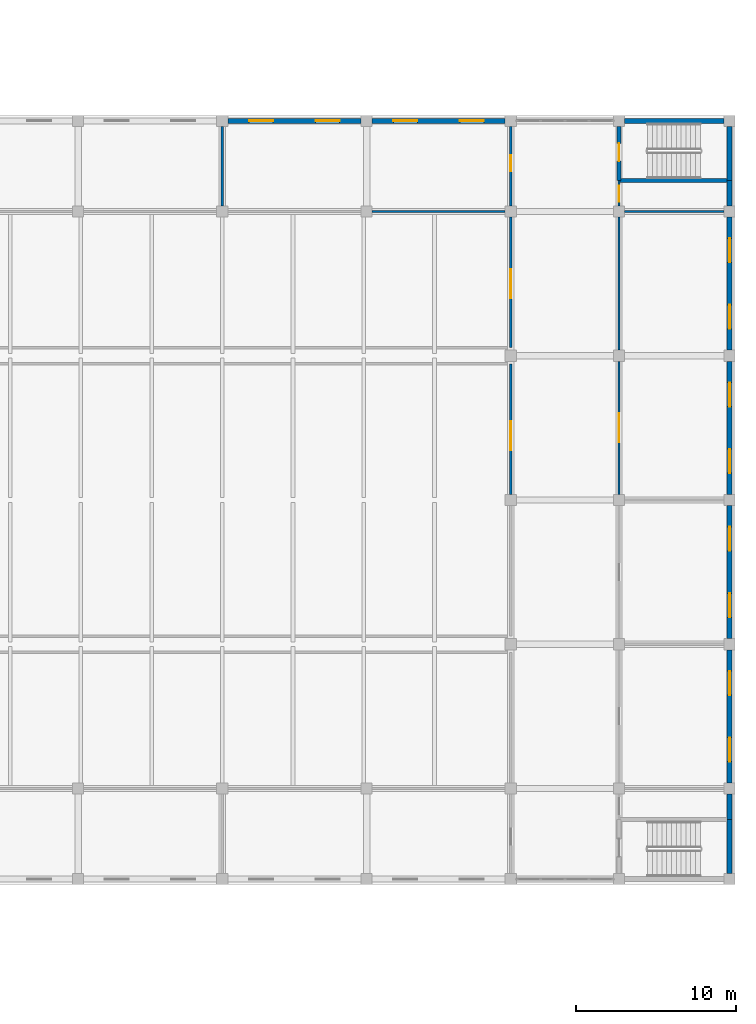
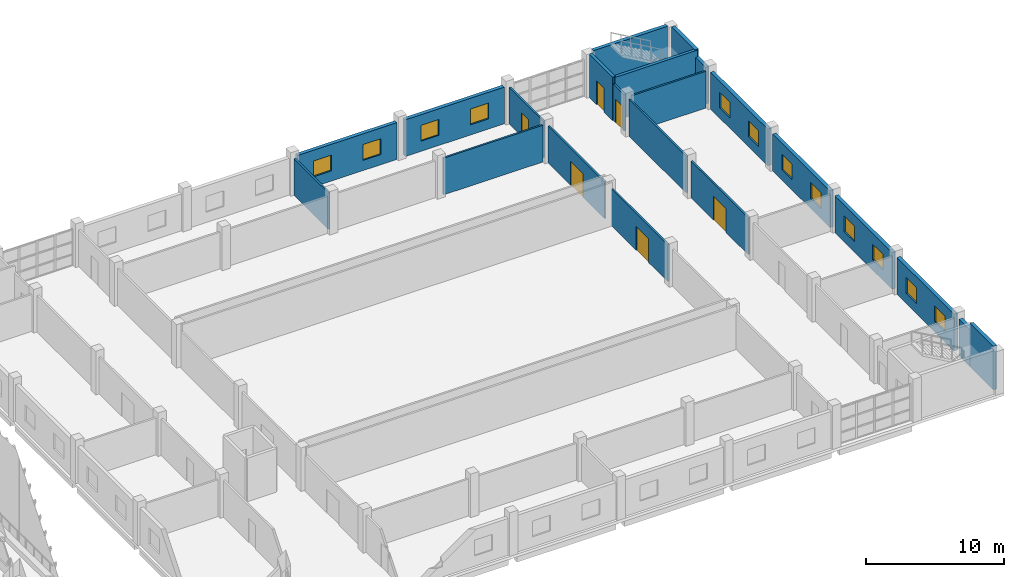
# One storey, part 19 of 31: 22 walls, 12 windows, 6 doors, 18 openings.
"""IFC4 building model written with IfcOpenShell, lengths in metres."""

from ifc_helpers import new_model, si_unit, direction, frame, frame_2d, origin, place, context, subcontext, project, spatial, rectangle, extrude, material, layer, layer_set, type_object, element, fill, save


model = new_model("IFC4")

# Units and contexts
model_context = context("Model", 3, precision=1e-05, world=origin(), true_north=direction((0.0, 1.0)))
body_context = subcontext(model_context, "Body", "Model", "MODEL_VIEW")
ifc_project = project(units=[si_unit("LENGTHUNIT", "METRE"), si_unit("AREAUNIT", "SQUARE_METRE"), si_unit("VOLUMEUNIT", "CUBIC_METRE"), si_unit("PLANEANGLEUNIT", "RADIAN"), si_unit("MASSUNIT", "GRAM", prefix="KILO")], contexts=[model_context])

# Site, building, storey
site_placement = place(None, origin())
site = spatial("IfcSite", under=ifc_project, at=site_placement, CompositionType="ELEMENT")
building_placement = place(site_placement, origin())
building = spatial("IfcBuilding", under=site, at=building_placement, Name="Corbel Stack Research Tower", CompositionType="ELEMENT")
storey_placement = place(building_placement, frame((0.0, 0.0, 15.39990234375)))
storey = spatial("IfcBuildingStorey", under=building, at=storey_placement, Name="L03", CompositionType="ELEMENT", Elevation=15.39990234375)

# Wall, openings, windows
ifc_material_1 = material(Name="Concrete C40/50", Category="concrete")
ifc_layer_1 = layer(ifc_material_1, 0.300048828125)
ifc_layer_set_1 = layer_set([ifc_layer_1], Name="Concrete C40/50")
wall_type_1 = type_object("IfcWallType", Name="HW1 exterior wall 300", PredefinedType="SOLIDWALL", material=ifc_layer_set_1)
wall_1_placement = place(storey_placement, frame((69.300048828125, 23.64990234375, 0.0), z_axis=(0.0, 0.0, 1.0), x_axis=(1.0, 0.0, 0.0)))
wall_1 = element("IfcWall", 1, at=wall_1_placement, inside=storey, type_object=wall_type_1, Name="Exterior wall L03 h23.65/69.3", PredefinedType="SOLIDWALL", context=body_context, shape_type="SweptSolid", body=[
    extrude(rectangle(XDim=8.300048828125, YDim=0.300048828125, at=frame_2d((4.14990234375, 0.0))), origin(), (0.0, 0.0, 1.0), 3.25),
])
opening_1_placement = place(wall_1_placement, frame((1.324951171875, 0.0, 0.89990234375)))
opening_1 = element("IfcOpeningElement", 2, at=opening_1_placement, cuts=wall_1, Name="Opening HX1", PredefinedType="OPENING", context=body_context, shape_type="SweptSolid", body=[
    extrude(rectangle(XDim=1.5, YDim=1.39990234375, at=frame_2d((0.75, 0.699951171875))), frame((0.0, 0.159912109375, 0.0), z_axis=(0.0, -1.0, 0.0), x_axis=(1.0, 0.0, 0.0)), (0.0, 0.0, 1.0), 0.320068359375),
])
opening_2_placement = place(wall_1_placement, frame((5.47509765625, 0.0, 0.89990234375)))
opening_2 = element("IfcOpeningElement", 3, at=opening_2_placement, cuts=wall_1, Name="Opening HX1", PredefinedType="OPENING", context=body_context, shape_type="SweptSolid", body=[
    extrude(rectangle(XDim=1.5, YDim=1.39990234375, at=frame_2d((0.75, 0.699951171875))), frame((0.0, 0.159912109375, 0.0), z_axis=(0.0, -1.0, 0.0), x_axis=(1.0, 0.0, 0.0)), (0.0, 0.0, 1.0), 0.320068359375),
])
ifc_material_2 = material(Name="Glass and aluminium", Category="aluminium")
window_type = type_object("IfcWindowType", Name="HW6 window 1500 x 1400", PartitioningType="SINGLE_PANEL", PredefinedType="WINDOW", material=ifc_material_2)
window_1_placement = place(opening_1_placement, origin())
window_1 = element("IfcWindow", 4, at=window_1_placement, inside=storey, type_object=window_type, Name="Window L03 Store room", OverallHeight=1.39990234375, OverallWidth=1.5, PartitioningType="SINGLE_PANEL", PredefinedType="WINDOW", context=body_context, shape_type="SweptSolid", body=[
    extrude(rectangle(XDim=1.5, YDim=1.39990234375, at=frame_2d((0.75, 0.699951171875))), frame((0.0, 0.030029296875, 0.0), z_axis=(0.0, -1.0, 0.0), x_axis=(1.0, 0.0, 0.0)), (0.0, 0.0, 1.0), 0.06005859375),
])
fill(opening_1, window_1)
window_2_placement = place(opening_2_placement, origin())
window_2 = element("IfcWindow", 5, at=window_2_placement, inside=storey, type_object=window_type, Name="Window L03 Store room", OverallHeight=1.39990234375, OverallWidth=1.5, PartitioningType="SINGLE_PANEL", PredefinedType="WINDOW", context=body_context, shape_type="SweptSolid", body=[
    extrude(rectangle(XDim=1.5, YDim=1.39990234375, at=frame_2d((0.75, 0.699951171875))), frame((0.0, 0.030029296875, 0.0), z_axis=(0.0, -1.0, 0.0), x_axis=(1.0, 0.0, 0.0)), (0.0, 0.0, 1.0), 0.06005859375),
])
fill(opening_2, window_2)

wall_2_placement = place(storey_placement, frame((78.300048828125, 23.64990234375, 0.0), z_axis=(0.0, 0.0, 1.0), x_axis=(1.0, 0.0, 0.0)))
wall_2 = element("IfcWall", 6, at=wall_2_placement, inside=storey, type_object=wall_type_1, Name="Exterior wall L03 h23.65/78.3", PredefinedType="SOLIDWALL", context=body_context, shape_type="SweptSolid", body=[
    extrude(rectangle(XDim=8.300048828125, YDim=0.300048828125, at=frame_2d((4.14990234375, 0.0))), origin(), (0.0, 0.0, 1.0), 3.25),
])
opening_3_placement = place(wall_2_placement, frame((1.324951171875, 0.0, 0.89990234375)))
opening_3 = element("IfcOpeningElement", 7, at=opening_3_placement, cuts=wall_2, Name="Opening HX1", PredefinedType="OPENING", context=body_context, shape_type="SweptSolid", body=[
    extrude(rectangle(XDim=1.5, YDim=1.39990234375, at=frame_2d((0.75, 0.699951171875))), frame((0.0, 0.159912109375, 0.0), z_axis=(0.0, -1.0, 0.0), x_axis=(1.0, 0.0, 0.0)), (0.0, 0.0, 1.0), 0.320068359375),
])
opening_4_placement = place(wall_2_placement, frame((5.47509765625, 0.0, 0.89990234375)))
opening_4 = element("IfcOpeningElement", 8, at=opening_4_placement, cuts=wall_2, Name="Opening HX1", PredefinedType="OPENING", context=body_context, shape_type="SweptSolid", body=[
    extrude(rectangle(XDim=1.5, YDim=1.39990234375, at=frame_2d((0.75, 0.699951171875))), frame((0.0, 0.159912109375, 0.0), z_axis=(0.0, -1.0, 0.0), x_axis=(1.0, 0.0, 0.0)), (0.0, 0.0, 1.0), 0.320068359375),
])
window_3_placement = place(opening_3_placement, origin())
window_3 = element("IfcWindow", 9, at=window_3_placement, inside=storey, type_object=window_type, Name="Window L03 Store room", OverallHeight=1.39990234375, OverallWidth=1.5, PartitioningType="SINGLE_PANEL", PredefinedType="WINDOW", context=body_context, shape_type="SweptSolid", body=[
    extrude(rectangle(XDim=1.5, YDim=1.39990234375, at=frame_2d((0.75, 0.699951171875))), frame((0.0, 0.030029296875, 0.0), z_axis=(0.0, -1.0, 0.0), x_axis=(1.0, 0.0, 0.0)), (0.0, 0.0, 1.0), 0.06005859375),
])
fill(opening_3, window_3)
window_4_placement = place(opening_4_placement, origin())
window_4 = element("IfcWindow", 10, at=window_4_placement, inside=storey, type_object=window_type, Name="Window L03 Store room", OverallHeight=1.39990234375, OverallWidth=1.5, PartitioningType="SINGLE_PANEL", PredefinedType="WINDOW", context=body_context, shape_type="SweptSolid", body=[
    extrude(rectangle(XDim=1.5, YDim=1.39990234375, at=frame_2d((0.75, 0.699951171875))), frame((0.0, 0.030029296875, 0.0), z_axis=(0.0, -1.0, 0.0), x_axis=(1.0, 0.0, 0.0)), (0.0, 0.0, 1.0), 0.06005859375),
])
fill(opening_4, window_4)

# Wall
wall_3_placement = place(storey_placement, frame((100.60009765625, -19.925048828125, 0.0), z_axis=(0.0, 0.0, 1.0), x_axis=(0.0, 1.0, 0.0)))
element("IfcWall", 11, at=wall_3_placement, inside=storey, type_object=wall_type_1, Name="Exterior wall L03 v100.60/-19.9", PredefinedType="SOLIDWALL", context=body_context, shape_type="SweptSolid", body=[
    extrude(rectangle(XDim=1.574951171875, YDim=0.300048828125, at=frame_2d((0.78759765625, 0.0))), origin(), (0.0, 0.0, 1.0), 3.25),
])

# Wall, openings, windows
wall_4_placement = place(storey_placement, frame((100.60009765625, -17.64990234375, 0.0), z_axis=(0.0, 0.0, 1.0), x_axis=(0.0, 1.0, 0.0)))
wall_4 = element("IfcWall", 12, at=wall_4_placement, inside=storey, type_object=wall_type_1, Name="Exterior wall L03 v100.60/-17.6", PredefinedType="SOLIDWALL", context=body_context, shape_type="SweptSolid", body=[
    extrude(rectangle(XDim=8.2998046875, YDim=0.300048828125, at=frame_2d((4.14990234375, 0.0))), origin(), (0.0, 0.0, 1.0), 3.25),
])
opening_5_placement = place(wall_4_placement, frame((1.324951171875, 0.0, 0.89990234375)))
opening_5 = element("IfcOpeningElement", 13, at=opening_5_placement, cuts=wall_4, Name="Opening HX1", PredefinedType="OPENING", context=body_context, shape_type="SweptSolid", body=[
    extrude(rectangle(XDim=1.5, YDim=1.39990234375, at=frame_2d((0.75, 0.699951171875))), frame((0.0, 0.159912109375, 0.0), z_axis=(0.0, -1.0, 0.0), x_axis=(1.0, 0.0, 0.0)), (0.0, 0.0, 1.0), 0.320068359375),
])
opening_6_placement = place(wall_4_placement, frame((5.47509765625, 0.0, 0.89990234375)))
opening_6 = element("IfcOpeningElement", 14, at=opening_6_placement, cuts=wall_4, Name="Opening HX1", PredefinedType="OPENING", context=body_context, shape_type="SweptSolid", body=[
    extrude(rectangle(XDim=1.5, YDim=1.39990234375, at=frame_2d((0.75, 0.699951171875))), frame((0.0, 0.159912109375, 0.0), z_axis=(0.0, -1.0, 0.0), x_axis=(1.0, 0.0, 0.0)), (0.0, 0.0, 1.0), 0.320068359375),
])
window_5_placement = place(opening_5_placement, origin())
window_5 = element("IfcWindow", 15, at=window_5_placement, inside=storey, type_object=window_type, Name="Window L03 Office 7", OverallHeight=1.39990234375, OverallWidth=1.5, PartitioningType="SINGLE_PANEL", PredefinedType="WINDOW", context=body_context, shape_type="SweptSolid", body=[
    extrude(rectangle(XDim=1.5, YDim=1.39990234375, at=frame_2d((0.75, 0.699951171875))), frame((0.0, 0.030029296875, 0.0), z_axis=(0.0, -1.0, 0.0), x_axis=(1.0, 0.0, 0.0)), (0.0, 0.0, 1.0), 0.06005859375),
])
fill(opening_5, window_5)
window_6_placement = place(opening_6_placement, origin())
window_6 = element("IfcWindow", 16, at=window_6_placement, inside=storey, type_object=window_type, Name="Window L03 Office 7", OverallHeight=1.39990234375, OverallWidth=1.5, PartitioningType="SINGLE_PANEL", PredefinedType="WINDOW", context=body_context, shape_type="SweptSolid", body=[
    extrude(rectangle(XDim=1.5, YDim=1.39990234375, at=frame_2d((0.75, 0.699951171875))), frame((0.0, 0.030029296875, 0.0), z_axis=(0.0, -1.0, 0.0), x_axis=(1.0, 0.0, 0.0)), (0.0, 0.0, 1.0), 0.06005859375),
])
fill(opening_6, window_6)

wall_5_placement = place(storey_placement, frame((100.60009765625, -8.64990234375, 0.0), z_axis=(0.0, 0.0, 1.0), x_axis=(0.0, 1.0, 0.0)))
wall_5 = element("IfcWall", 17, at=wall_5_placement, inside=storey, type_object=wall_type_1, Name="Exterior wall L03 v100.60/-8.7", PredefinedType="SOLIDWALL", context=body_context, shape_type="SweptSolid", body=[
    extrude(rectangle(XDim=8.2998046875, YDim=0.300048828125, at=frame_2d((4.14990234375, 0.0))), origin(), (0.0, 0.0, 1.0), 3.25),
])
opening_7_placement = place(wall_5_placement, frame((1.324951171875, 0.0, 0.89990234375)))
opening_7 = element("IfcOpeningElement", 18, at=opening_7_placement, cuts=wall_5, Name="Opening HX1", PredefinedType="OPENING", context=body_context, shape_type="SweptSolid", body=[
    extrude(rectangle(XDim=1.5, YDim=1.39990234375, at=frame_2d((0.75, 0.699951171875))), frame((0.0, 0.159912109375, 0.0), z_axis=(0.0, -1.0, 0.0), x_axis=(1.0, 0.0, 0.0)), (0.0, 0.0, 1.0), 0.320068359375),
])
opening_8_placement = place(wall_5_placement, frame((5.47509765625, 0.0, 0.89990234375)))
opening_8 = element("IfcOpeningElement", 19, at=opening_8_placement, cuts=wall_5, Name="Opening HX1", PredefinedType="OPENING", context=body_context, shape_type="SweptSolid", body=[
    extrude(rectangle(XDim=1.5, YDim=1.39990234375, at=frame_2d((0.75, 0.699951171875))), frame((0.0, 0.159912109375, 0.0), z_axis=(0.0, -1.0, 0.0), x_axis=(1.0, 0.0, 0.0)), (0.0, 0.0, 1.0), 0.320068359375),
])
window_7_placement = place(opening_7_placement, origin())
window_7 = element("IfcWindow", 20, at=window_7_placement, inside=storey, type_object=window_type, Name="Window L03 Office 8", OverallHeight=1.39990234375, OverallWidth=1.5, PartitioningType="SINGLE_PANEL", PredefinedType="WINDOW", context=body_context, shape_type="SweptSolid", body=[
    extrude(rectangle(XDim=1.5, YDim=1.39990234375, at=frame_2d((0.75, 0.699951171875))), frame((0.0, 0.030029296875, 0.0), z_axis=(0.0, -1.0, 0.0), x_axis=(1.0, 0.0, 0.0)), (0.0, 0.0, 1.0), 0.06005859375),
])
fill(opening_7, window_7)
window_8_placement = place(opening_8_placement, origin())
window_8 = element("IfcWindow", 21, at=window_8_placement, inside=storey, type_object=window_type, Name="Window L03 Office 8", OverallHeight=1.39990234375, OverallWidth=1.5, PartitioningType="SINGLE_PANEL", PredefinedType="WINDOW", context=body_context, shape_type="SweptSolid", body=[
    extrude(rectangle(XDim=1.5, YDim=1.39990234375, at=frame_2d((0.75, 0.699951171875))), frame((0.0, 0.030029296875, 0.0), z_axis=(0.0, -1.0, 0.0), x_axis=(1.0, 0.0, 0.0)), (0.0, 0.0, 1.0), 0.06005859375),
])
fill(opening_8, window_8)

wall_6_placement = place(storey_placement, frame((100.60009765625, 0.35009765625, 0.0), z_axis=(0.0, 0.0, 1.0), x_axis=(0.0, 1.0, 0.0)))
wall_6 = element("IfcWall", 22, at=wall_6_placement, inside=storey, type_object=wall_type_1, Name="Exterior wall L03 v100.60/0.3", PredefinedType="SOLIDWALL", context=body_context, shape_type="SweptSolid", body=[
    extrude(rectangle(XDim=8.2998046875, YDim=0.300048828125, at=frame_2d((4.14990234375, 0.0))), origin(), (0.0, 0.0, 1.0), 3.25),
])
opening_9_placement = place(wall_6_placement, frame((1.324951171875, 0.0, 0.89990234375)))
opening_9 = element("IfcOpeningElement", 23, at=opening_9_placement, cuts=wall_6, Name="Opening HX1", PredefinedType="OPENING", context=body_context, shape_type="SweptSolid", body=[
    extrude(rectangle(XDim=1.5, YDim=1.39990234375, at=frame_2d((0.75, 0.699951171875))), frame((0.0, 0.159912109375, 0.0), z_axis=(0.0, -1.0, 0.0), x_axis=(1.0, 0.0, 0.0)), (0.0, 0.0, 1.0), 0.320068359375),
])
opening_10_placement = place(wall_6_placement, frame((5.47509765625, 0.0, 0.89990234375)))
opening_10 = element("IfcOpeningElement", 24, at=opening_10_placement, cuts=wall_6, Name="Opening HX1", PredefinedType="OPENING", context=body_context, shape_type="SweptSolid", body=[
    extrude(rectangle(XDim=1.5, YDim=1.39990234375, at=frame_2d((0.75, 0.699951171875))), frame((0.0, 0.159912109375, 0.0), z_axis=(0.0, -1.0, 0.0), x_axis=(1.0, 0.0, 0.0)), (0.0, 0.0, 1.0), 0.320068359375),
])
window_9_placement = place(opening_9_placement, origin())
window_9 = element("IfcWindow", 25, at=window_9_placement, inside=storey, type_object=window_type, Name="Window L03 Studio 6", OverallHeight=1.39990234375, OverallWidth=1.5, PartitioningType="SINGLE_PANEL", PredefinedType="WINDOW", context=body_context, shape_type="SweptSolid", body=[
    extrude(rectangle(XDim=1.5, YDim=1.39990234375, at=frame_2d((0.75, 0.699951171875))), frame((0.0, 0.030029296875, 0.0), z_axis=(0.0, -1.0, 0.0), x_axis=(1.0, 0.0, 0.0)), (0.0, 0.0, 1.0), 0.06005859375),
])
fill(opening_9, window_9)
window_10_placement = place(opening_10_placement, origin())
window_10 = element("IfcWindow", 26, at=window_10_placement, inside=storey, type_object=window_type, Name="Window L03 Studio 6", OverallHeight=1.39990234375, OverallWidth=1.5, PartitioningType="SINGLE_PANEL", PredefinedType="WINDOW", context=body_context, shape_type="SweptSolid", body=[
    extrude(rectangle(XDim=1.5, YDim=1.39990234375, at=frame_2d((0.75, 0.699951171875))), frame((0.0, 0.030029296875, 0.0), z_axis=(0.0, -1.0, 0.0), x_axis=(1.0, 0.0, 0.0)), (0.0, 0.0, 1.0), 0.06005859375),
])
fill(opening_10, window_10)

wall_7_placement = place(storey_placement, frame((100.60009765625, 9.35009765625, 0.0), z_axis=(0.0, 0.0, 1.0), x_axis=(0.0, 1.0, 0.0)))
wall_7 = element("IfcWall", 27, at=wall_7_placement, inside=storey, type_object=wall_type_1, Name="Exterior wall L03 v100.60/9.3", PredefinedType="SOLIDWALL", context=body_context, shape_type="SweptSolid", body=[
    extrude(rectangle(XDim=8.2998046875, YDim=0.300048828125, at=frame_2d((4.14990234375, 0.0))), origin(), (0.0, 0.0, 1.0), 3.25),
])
opening_11_placement = place(wall_7_placement, frame((1.324951171875, 0.0, 0.89990234375)))
opening_11 = element("IfcOpeningElement", 28, at=opening_11_placement, cuts=wall_7, Name="Opening HX1", PredefinedType="OPENING", context=body_context, shape_type="SweptSolid", body=[
    extrude(rectangle(XDim=1.5, YDim=1.39990234375, at=frame_2d((0.75, 0.699951171875))), frame((0.0, 0.159912109375, 0.0), z_axis=(0.0, -1.0, 0.0), x_axis=(1.0, 0.0, 0.0)), (0.0, 0.0, 1.0), 0.320068359375),
])
opening_12_placement = place(wall_7_placement, frame((5.47509765625, 0.0, 0.89990234375)))
opening_12 = element("IfcOpeningElement", 29, at=opening_12_placement, cuts=wall_7, Name="Opening HX1", PredefinedType="OPENING", context=body_context, shape_type="SweptSolid", body=[
    extrude(rectangle(XDim=1.5, YDim=1.39990234375, at=frame_2d((0.75, 0.699951171875))), frame((0.0, 0.159912109375, 0.0), z_axis=(0.0, -1.0, 0.0), x_axis=(1.0, 0.0, 0.0)), (0.0, 0.0, 1.0), 0.320068359375),
])
window_11_placement = place(opening_11_placement, origin())
window_11 = element("IfcWindow", 30, at=window_11_placement, inside=storey, type_object=window_type, Name="Window L03 Studio 6", OverallHeight=1.39990234375, OverallWidth=1.5, PartitioningType="SINGLE_PANEL", PredefinedType="WINDOW", context=body_context, shape_type="SweptSolid", body=[
    extrude(rectangle(XDim=1.5, YDim=1.39990234375, at=frame_2d((0.75, 0.699951171875))), frame((0.0, 0.030029296875, 0.0), z_axis=(0.0, -1.0, 0.0), x_axis=(1.0, 0.0, 0.0)), (0.0, 0.0, 1.0), 0.06005859375),
])
fill(opening_11, window_11)
window_12_placement = place(opening_12_placement, origin())
window_12 = element("IfcWindow", 31, at=window_12_placement, inside=storey, type_object=window_type, Name="Window L03 Studio 6", OverallHeight=1.39990234375, OverallWidth=1.5, PartitioningType="SINGLE_PANEL", PredefinedType="WINDOW", context=body_context, shape_type="SweptSolid", body=[
    extrude(rectangle(XDim=1.5, YDim=1.39990234375, at=frame_2d((0.75, 0.699951171875))), frame((0.0, 0.030029296875, 0.0), z_axis=(0.0, -1.0, 0.0), x_axis=(1.0, 0.0, 0.0)), (0.0, 0.0, 1.0), 0.06005859375),
])
fill(opening_12, window_12)

# Walls
wall_8_placement = place(storey_placement, frame((100.60009765625, 18.35009765625, 0.0), z_axis=(0.0, 0.0, 1.0), x_axis=(0.0, 1.0, 0.0)))
element("IfcWall", 32, at=wall_8_placement, inside=storey, type_object=wall_type_1, Name="Exterior wall L03 v100.60/18.4", PredefinedType="SOLIDWALL", context=body_context, shape_type="SweptSolid", body=[
    extrude(rectangle(XDim=1.574951171875, YDim=0.300048828125, at=frame_2d((0.78759765625, 0.0))), origin(), (0.0, 0.0, 1.0), 3.25),
])
ifc_material_3 = material(Name="Concrete C40/50", Category="concrete")
ifc_layer_2 = layer(ifc_material_3, 0.25)
ifc_layer_set_2 = layer_set([ifc_layer_2], Name="Concrete C40/50")
wall_type_2 = type_object("IfcWallType", Name="HW2 core wall C40/50 250", PredefinedType="SHEAR", material=ifc_layer_set_2)
wall_9_placement = place(storey_placement, frame((93.699951171875, 19.925048828125, 0.0), z_axis=(0.0, 0.0, 1.0), x_axis=(1.0, 0.0, 0.0)))
element("IfcWall", 33, at=wall_9_placement, inside=storey, type_object=wall_type_2, Name="Wall L03 h19.93/93.7", PredefinedType="SHEAR", context=body_context, shape_type="SweptSolid", body=[
    extrude(rectangle(XDim=6.900146484375, YDim=0.25, at=frame_2d((3.4501953125, 0.0))), origin(), (0.0, 0.0, 1.0), 3.85009765625),
])

# Wall, opening, door
wall_10_placement = place(storey_placement, frame((93.699951171875, 19.925048828125, 0.0), z_axis=(0.0, 0.0, 1.0), x_axis=(0.0, 1.0, 0.0)))
wall_10 = element("IfcWall", 34, at=wall_10_placement, inside=storey, type_object=wall_type_2, Name="Wall L03 v93.70/19.9", PredefinedType="SHEAR", context=body_context, shape_type="SweptSolid", body=[
    extrude(rectangle(XDim=3.375, YDim=0.25, at=frame_2d((1.6875, 0.0))), origin(), (0.0, 0.0, 1.0), 3.85009765625),
])
opening_13_placement = place(wall_10_placement, frame((1.22509765625, 0.0, 0.0)))
opening_13 = element("IfcOpeningElement", 35, at=opening_13_placement, cuts=wall_10, Name="Opening H3-23", PredefinedType="OPENING", context=body_context, shape_type="SweptSolid", body=[
    extrude(rectangle(XDim=1.10009765625, YDim=2.10009765625, at=frame_2d((0.550048828125, 1.050048828125))), frame((0.0, 0.135009765625, 0.0), z_axis=(0.0, -1.0, 0.0), x_axis=(1.0, 0.0, 0.0)), (0.0, 0.0, 1.0), 0.27001953125),
])
ifc_material_4 = material(Name="Steel", Category="steel")
door_type_1 = type_object("IfcDoorType", Name="HD4 fire door 1100 x 2100", OperationType="NOTDEFINED", PredefinedType="DOOR", material=ifc_material_4)
door_1_placement = place(opening_13_placement, origin())
door_1 = element("IfcDoor", 36, at=door_1_placement, inside=storey, type_object=door_type_1, Name="Door H3-23", OperationType="SINGLE_SWING_LEFT", OverallHeight=2.10009765625, OverallWidth=1.10009765625, PredefinedType="DOOR", context=body_context, shape_type="SweptSolid", body=[
    extrude(rectangle(XDim=1.10009765625, YDim=2.10009765625, at=frame_2d((0.550048828125, 1.050048828125))), frame((0.0, 0.02490234375, 0.0), z_axis=(0.0, -1.0, 0.0), x_axis=(1.0, 0.0, 0.0)), (0.0, 0.0, 1.0), 0.050048828125),
])
fill(opening_13, door_1)

# Walls
ifc_material_5 = material(Name="Concrete masonry unit", Category="masonry")
ifc_layer_3 = layer(ifc_material_5, 0.14990234375)
ifc_layer_set_3 = layer_set([ifc_layer_3], Name="Concrete masonry unit")
wall_type_3 = type_object("IfcWallType", Name="HW3 partition 150", PredefinedType="PARTITIONING", material=ifc_layer_set_3)
wall_11_placement = place(storey_placement, frame((78.300048828125, 18.0, 0.0), z_axis=(0.0, 0.0, 1.0), x_axis=(1.0, 0.0, 0.0)))
element("IfcWall", 37, at=wall_11_placement, inside=storey, type_object=wall_type_3, Name="Wall L03 h18.00/78.3", PredefinedType="PARTITIONING", context=body_context, shape_type="SweptSolid", body=[
    extrude(rectangle(XDim=8.300048828125, YDim=0.14990234375, at=frame_2d((4.14990234375, 0.0))), origin(), (0.0, 0.0, 1.0), 3.25),
])
wall_12_placement = place(storey_placement, frame((94.050048828125, 18.0, 0.0), z_axis=(0.0, 0.0, 1.0), x_axis=(1.0, 0.0, 0.0)))
element("IfcWall", 38, at=wall_12_placement, inside=storey, type_object=wall_type_3, Name="Wall L03 h18.00/94.0", PredefinedType="PARTITIONING", context=body_context, shape_type="SweptSolid", body=[
    extrude(rectangle(XDim=6.199951171875, YDim=0.14990234375, at=frame_2d((3.10009765625, 0.0))), origin(), (0.0, 0.0, 1.0), 3.25),
])
wall_13_placement = place(storey_placement, frame((68.949951171875, 18.35009765625, 0.0), z_axis=(0.0, 0.0, 1.0), x_axis=(0.0, 1.0, 0.0)))
element("IfcWall", 39, at=wall_13_placement, inside=storey, type_object=wall_type_3, Name="Wall L03 v68.95/18.4", PredefinedType="PARTITIONING", context=body_context, shape_type="SweptSolid", body=[
    extrude(rectangle(XDim=4.949951171875, YDim=0.14990234375, at=frame_2d((2.47509765625, 0.0))), origin(), (0.0, 0.0, 1.0), 3.25),
])

# Wall, opening, door
wall_14_placement = place(storey_placement, frame((86.949951171875, 8.5, 0.0), z_axis=(0.0, 0.0, 1.0), x_axis=(0.0, -1.0, 0.0)))
wall_14 = element("IfcWall", 40, at=wall_14_placement, inside=storey, type_object=wall_type_3, Name="Wall L03 v86.95/0.3", PredefinedType="PARTITIONING", context=body_context, shape_type="SweptSolid", body=[
    extrude(rectangle(XDim=8.14990234375, YDim=0.14990234375, at=frame_2d((4.074951171875, 0.0))), origin(), (0.0, 0.0, 1.0), 3.25),
])
opening_14_placement = place(wall_14_placement, frame((3.60009765625, 0.0, 0.0)))
opening_14 = element("IfcOpeningElement", 41, at=opening_14_placement, cuts=wall_14, Name="Opening H3-14", PredefinedType="OPENING", context=body_context, shape_type="SweptSolid", body=[
    extrude(rectangle(XDim=1.800048828125, YDim=2.10009765625, at=frame_2d((0.89990234375, 1.050048828125))), frame((0.0, 0.0849609375, 0.0), z_axis=(0.0, -1.0, 0.0), x_axis=(1.0, 0.0, 0.0)), (0.0, 0.0, 1.0), 0.169921875),
])
ifc_material_6 = material(Name="Timber", Category="wood")
door_type_2 = type_object("IfcDoorType", Name="HD2 double door 1800 x 2100", OperationType="DOUBLE_DOOR_SINGLE_SWING", PredefinedType="DOOR", material=ifc_material_6)
door_2_placement = place(opening_14_placement, origin())
door_2 = element("IfcDoor", 42, at=door_2_placement, inside=storey, type_object=door_type_2, Name="Door H3-14", OperationType="DOUBLE_DOOR_SINGLE_SWING", OverallHeight=2.10009765625, OverallWidth=1.800048828125, PredefinedType="DOOR", context=body_context, shape_type="SweptSolid", body=[
    extrude(rectangle(XDim=1.800048828125, YDim=2.10009765625, at=frame_2d((0.89990234375, 1.050048828125))), frame((0.0, 0.02490234375, 0.0), z_axis=(0.0, -1.0, 0.0), x_axis=(1.0, 0.0, 0.0)), (0.0, 0.0, 1.0), 0.050048828125),
])
fill(opening_14, door_2)

wall_15_placement = place(storey_placement, frame((86.949951171875, 17.64990234375, 0.0), z_axis=(0.0, 0.0, 1.0), x_axis=(0.0, -1.0, 0.0)))
wall_15 = element("IfcWall", 43, at=wall_15_placement, inside=storey, type_object=wall_type_3, Name="Wall L03 v86.95/9.5", PredefinedType="PARTITIONING", context=body_context, shape_type="SweptSolid", body=[
    extrude(rectangle(XDim=8.14990234375, YDim=0.14990234375, at=frame_2d((4.074951171875, 0.0))), origin(), (0.0, 0.0, 1.0), 3.25),
])
opening_15_placement = place(wall_15_placement, frame((3.25, 0.0, 0.0)))
opening_15 = element("IfcOpeningElement", 44, at=opening_15_placement, cuts=wall_15, Name="Opening H3-15", PredefinedType="OPENING", context=body_context, shape_type="SweptSolid", body=[
    extrude(rectangle(XDim=1.800048828125, YDim=2.10009765625, at=frame_2d((0.89990234375, 1.050048828125))), frame((0.0, 0.0849609375, 0.0), z_axis=(0.0, -1.0, 0.0), x_axis=(1.0, 0.0, 0.0)), (0.0, 0.0, 1.0), 0.169921875),
])
door_3_placement = place(opening_15_placement, origin())
door_3 = element("IfcDoor", 45, at=door_3_placement, inside=storey, type_object=door_type_2, Name="Door H3-15", OperationType="DOUBLE_DOOR_SINGLE_SWING", OverallHeight=2.10009765625, OverallWidth=1.800048828125, PredefinedType="DOOR", context=body_context, shape_type="SweptSolid", body=[
    extrude(rectangle(XDim=1.800048828125, YDim=2.10009765625, at=frame_2d((0.89990234375, 1.050048828125))), frame((0.0, 0.02490234375, 0.0), z_axis=(0.0, -1.0, 0.0), x_axis=(1.0, 0.0, 0.0)), (0.0, 0.0, 1.0), 0.050048828125),
])
fill(opening_15, door_3)

wall_16_placement = place(storey_placement, frame((86.949951171875, 18.35009765625, 0.0), z_axis=(0.0, 0.0, 1.0), x_axis=(0.0, 1.0, 0.0)))
wall_16 = element("IfcWall", 46, at=wall_16_placement, inside=storey, type_object=wall_type_3, Name="Wall L03 v86.95/18.4", PredefinedType="PARTITIONING", context=body_context, shape_type="SweptSolid", body=[
    extrude(rectangle(XDim=4.949951171875, YDim=0.14990234375, at=frame_2d((2.47509765625, 0.0))), origin(), (0.0, 0.0, 1.0), 3.25),
])
opening_16_placement = place(wall_16_placement, frame((2.14990234375, 0.0, 0.0)))
opening_16 = element("IfcOpeningElement", 47, at=opening_16_placement, cuts=wall_16, Name="Opening H3-16", PredefinedType="OPENING", context=body_context, shape_type="SweptSolid", body=[
    extrude(rectangle(XDim=1.0, YDim=2.10009765625, at=frame_2d((0.5, 1.050048828125))), frame((0.0, 0.0849609375, 0.0), z_axis=(0.0, -1.0, 0.0), x_axis=(1.0, 0.0, 0.0)), (0.0, 0.0, 1.0), 0.169921875),
])
ifc_material_7 = material(Name="Timber", Category="wood")
door_type_3 = type_object("IfcDoorType", Name="HD1 single door 1000 x 2100", OperationType="NOTDEFINED", PredefinedType="DOOR", material=ifc_material_7)
door_4_placement = place(opening_16_placement, origin())
door_4 = element("IfcDoor", 48, at=door_4_placement, inside=storey, type_object=door_type_3, Name="Door H3-16", OperationType="SINGLE_SWING_RIGHT", OverallHeight=2.10009765625, OverallWidth=1.0, PredefinedType="DOOR", context=body_context, shape_type="SweptSolid", body=[
    extrude(rectangle(XDim=1.0, YDim=2.10009765625, at=frame_2d((0.5, 1.050048828125))), frame((0.0, 0.02490234375, 0.0), z_axis=(0.0, -1.0, 0.0), x_axis=(1.0, 0.0, 0.0)), (0.0, 0.0, 1.0), 0.050048828125),
])
fill(opening_16, door_4)

wall_17_placement = place(storey_placement, frame((93.699951171875, 0.35009765625, 0.0), z_axis=(0.0, 0.0, 1.0), x_axis=(0.0, 1.0, 0.0)))
wall_17 = element("IfcWall", 49, at=wall_17_placement, inside=storey, type_object=wall_type_3, Name="Wall L03 v93.70/0.3", PredefinedType="PARTITIONING", context=body_context, shape_type="SweptSolid", body=[
    extrude(rectangle(XDim=8.2998046875, YDim=0.14990234375, at=frame_2d((4.14990234375, 0.0))), origin(), (0.0, 0.0, 1.0), 3.25),
])
opening_17_placement = place(wall_17_placement, frame((3.25, 0.0, 0.0)))
opening_17 = element("IfcOpeningElement", 50, at=opening_17_placement, cuts=wall_17, Name="Opening H3-21", PredefinedType="OPENING", context=body_context, shape_type="SweptSolid", body=[
    extrude(rectangle(XDim=1.800048828125, YDim=2.10009765625, at=frame_2d((0.89990234375, 1.050048828125))), frame((0.0, 0.0849609375, 0.0), z_axis=(0.0, -1.0, 0.0), x_axis=(1.0, 0.0, 0.0)), (0.0, 0.0, 1.0), 0.169921875),
])
door_5_placement = place(opening_17_placement, origin())
door_5 = element("IfcDoor", 51, at=door_5_placement, inside=storey, type_object=door_type_2, Name="Door H3-21", OperationType="DOUBLE_DOOR_SINGLE_SWING", OverallHeight=2.10009765625, OverallWidth=1.800048828125, PredefinedType="DOOR", context=body_context, shape_type="SweptSolid", body=[
    extrude(rectangle(XDim=1.800048828125, YDim=2.10009765625, at=frame_2d((0.89990234375, 1.050048828125))), frame((0.0, 0.02490234375, 0.0), z_axis=(0.0, -1.0, 0.0), x_axis=(1.0, 0.0, 0.0)), (0.0, 0.0, 1.0), 0.050048828125),
])
fill(opening_17, door_5)

# Wall
wall_18_placement = place(storey_placement, frame((93.699951171875, 9.35009765625, 0.0), z_axis=(0.0, 0.0, 1.0), x_axis=(0.0, 1.0, 0.0)))
element("IfcWall", 52, at=wall_18_placement, inside=storey, type_object=wall_type_3, Name="Wall L03 v93.70/9.3", PredefinedType="PARTITIONING", context=body_context, shape_type="SweptSolid", body=[
    extrude(rectangle(XDim=8.2998046875, YDim=0.14990234375, at=frame_2d((4.14990234375, 0.0))), origin(), (0.0, 0.0, 1.0), 3.25),
])

# Wall, opening, door
wall_19_placement = place(storey_placement, frame((93.699951171875, 19.925048828125, 0.0), z_axis=(0.0, 0.0, 1.0), x_axis=(0.0, -1.0, 0.0)))
wall_19 = element("IfcWall", 53, at=wall_19_placement, inside=storey, type_object=wall_type_3, Name="Wall L03 v93.70/18.4", PredefinedType="PARTITIONING", context=body_context, shape_type="SweptSolid", body=[
    extrude(rectangle(XDim=1.574951171875, YDim=0.14990234375, at=frame_2d((0.78759765625, 0.0))), origin(), (0.0, 0.0, 1.0), 3.25),
])
opening_18_placement = place(wall_19_placement, frame((0.324951171875, 0.0, 0.0)))
opening_18 = element("IfcOpeningElement", 54, at=opening_18_placement, cuts=wall_19, Name="Opening H3-22", PredefinedType="OPENING", context=body_context, shape_type="SweptSolid", body=[
    extrude(rectangle(XDim=1.0, YDim=2.10009765625, at=frame_2d((0.5, 1.050048828125))), frame((0.0, 0.0849609375, 0.0), z_axis=(0.0, -1.0, 0.0), x_axis=(1.0, 0.0, 0.0)), (0.0, 0.0, 1.0), 0.169921875),
])
door_6_placement = place(opening_18_placement, origin())
door_6 = element("IfcDoor", 55, at=door_6_placement, inside=storey, type_object=door_type_3, Name="Door H3-22", OperationType="SINGLE_SWING_RIGHT", OverallHeight=2.10009765625, OverallWidth=1.0, PredefinedType="DOOR", context=body_context, shape_type="SweptSolid", body=[
    extrude(rectangle(XDim=1.0, YDim=2.10009765625, at=frame_2d((0.5, 1.050048828125))), frame((0.0, 0.02490234375, 0.0), z_axis=(0.0, -1.0, 0.0), x_axis=(1.0, 0.0, 0.0)), (0.0, 0.0, 1.0), 0.050048828125),
])
fill(opening_18, door_6)

# Walls
ifc_material_8 = material(Name="Concrete C40/50", Category="concrete")
ifc_layer_4 = layer(ifc_material_8, 0.300048828125)
ifc_layer_set_4 = layer_set([ifc_layer_4], Name="Concrete C40/50")
wall_type_4 = type_object("IfcWallType", Name="HW6 exterior wall C40/50 300", PredefinedType="SHEAR", material=ifc_layer_set_4)
wall_20_placement = place(storey_placement, frame((94.050048828125, 23.64990234375, 0.0), z_axis=(0.0, 0.0, 1.0), x_axis=(1.0, 0.0, 0.0)))
element("IfcWall", 56, at=wall_20_placement, inside=storey, type_object=wall_type_4, Name="Exterior wall L03 h23.65/94.0", PredefinedType="SHEAR", context=body_context, shape_type="SweptSolid", body=[
    extrude(rectangle(XDim=6.199951171875, YDim=0.300048828125, at=frame_2d((3.10009765625, 0.0))), origin(), (0.0, 0.0, 1.0), 3.85009765625),
])
for number, where, z_axis, x_axis, name in (
    (57, (100.60009765625, -23.300048828125, 0.0), (0.0, 0.0, 1.0), (0.0, 1.0, 0.0), "Exterior wall L03 v100.60/-23.3"),
    (58, (100.60009765625, 19.925048828125, 0.0), (0.0, 0.0, 1.0), (0.0, 1.0, 0.0), "Exterior wall L03 v100.60/19.9"),
):
    element("IfcWall", number, at=place(storey_placement, frame(where, z_axis=z_axis, x_axis=x_axis)), inside=storey, type_object=wall_type_4, Name=name, PredefinedType="SHEAR", context=body_context, shape_type="SweptSolid", body=[
        extrude(rectangle(XDim=3.375, YDim=0.300048828125, at=frame_2d((1.6875, 0.0))), origin(), (0.0, 0.0, 1.0), 3.85009765625),
    ])

save(model, "model.ifc")
